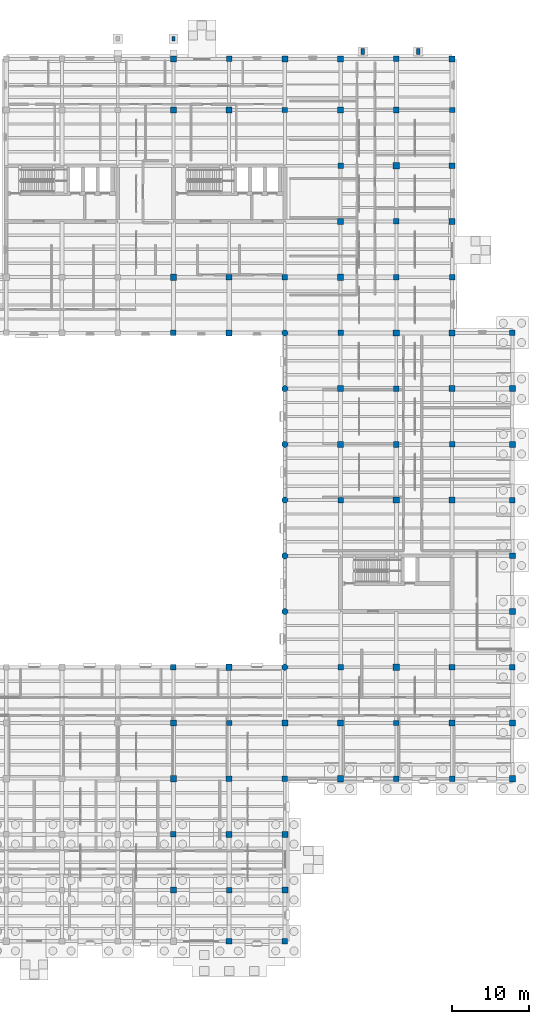
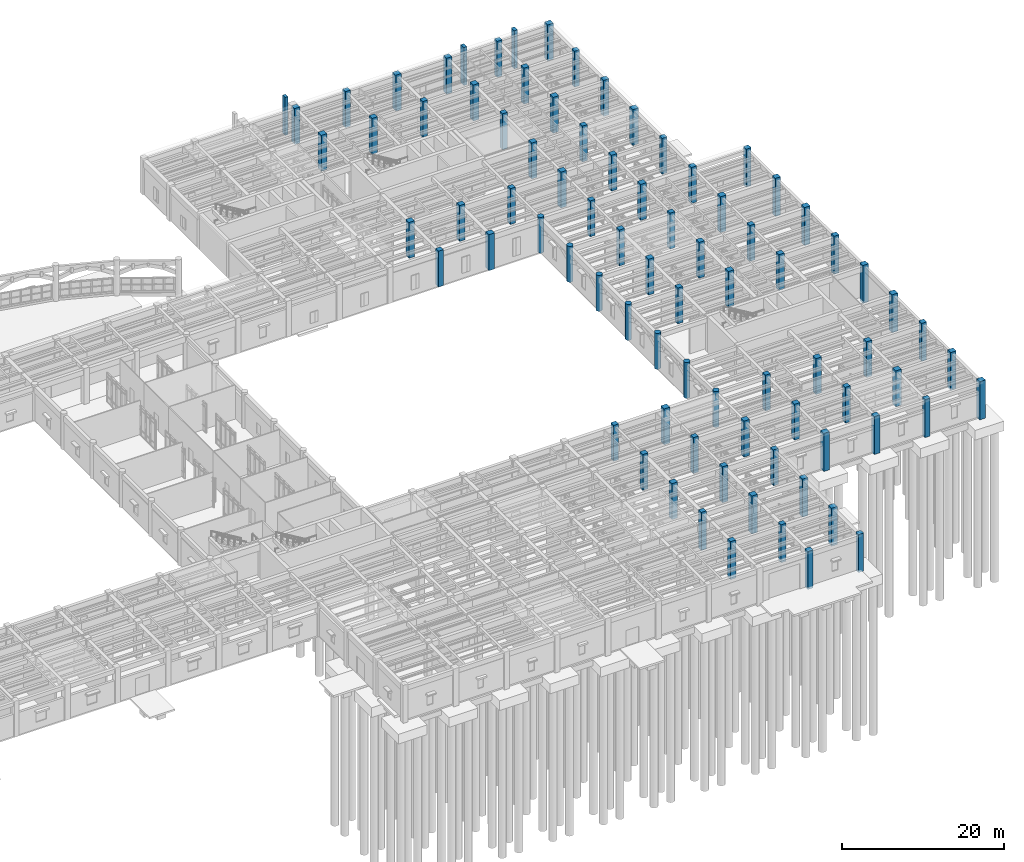
# One storey, part 7 of 100: 82 columns.
"""IFC4 building model written with IfcOpenShell, lengths in metres."""

from ifc_helpers import new_model, si_unit, direction, frame, origin, origin_2d, place, context, subcontext, project, spatial, rectangle, circle, extrude, material, material_profile, profile_set, type_object, element, save


model = new_model("IFC4")

# Units and contexts
model_context = context("Model", 3, precision=1e-05, world=origin(), true_north=direction((0.0, 1.0)))
body_context = subcontext(model_context, "Body", "Model", "MODEL_VIEW")
ifc_project = project(units=[si_unit("LENGTHUNIT", "METRE"), si_unit("AREAUNIT", "SQUARE_METRE"), si_unit("VOLUMEUNIT", "CUBIC_METRE"), si_unit("PLANEANGLEUNIT", "RADIAN"), si_unit("MASSUNIT", "GRAM", prefix="KILO")], contexts=[model_context])

# Site, building, storey
site_placement = place(None, origin())
site = spatial("IfcSite", under=ifc_project, at=site_placement, CompositionType="ELEMENT")
building_placement = place(site_placement, origin())
building = spatial("IfcBuilding", under=site, at=building_placement, Name="Mithqara Police Headquarters", CompositionType="ELEMENT")
storey_placement = place(building_placement, origin())
storey = spatial("IfcBuildingStorey", under=building, at=storey_placement, Name="L00", CompositionType="ELEMENT", Elevation=0.0)

# Columns
ifc_material = material(Name="Concrete C50/60", Category="concrete")
ifc_material_profile_1 = material_profile(ifc_material, rectangle(XDim=0.699951171875, YDim=0.699951171875, at=origin_2d()), Name="RC 700x700")
ifc_profile_set_1 = profile_set([ifc_material_profile_1], Name="Concrete C50/60")
column_type_1 = type_object("IfcColumnType", Name="COLUMN RC700", PredefinedType="COLUMN", material=ifc_profile_set_1)
column_1_placement = place(storey_placement, frame((130.199951171875, 13.800048828125, -0.320068359375), z_axis=(0.0, 0.0, 1.0), x_axis=(1.0, 0.0, 0.0)))
element("IfcColumn", 1, at=column_1_placement, inside=storey, type_object=column_type_1, Name="L00 Column 19/C", PredefinedType="COLUMN", context=body_context, shape_type="SweptSolid", body=[
    extrude(rectangle(XDim=0.699951171875, YDim=0.699951171875, at=origin_2d()), origin(), (0.0, 0.0, 1.0), 5.719970703125),
])
for number, where, z_axis, x_axis, name in (
    (2, (130.199951171875, 35.39990234375, 0.0), (0.0, 0.0, 1.0), (1.0, 0.0, 0.0), "L00 Column 19/F"),
    (3, (130.199951171875, 78.60009765625, 0.0), (0.0, 0.0, 1.0), (1.0, 0.0, 0.0), "L00 Column 19/M"),
):
    element("IfcColumn", number, at=place(storey_placement, frame(where, z_axis=z_axis, x_axis=x_axis)), inside=storey, type_object=column_type_1, Name=name, PredefinedType="COLUMN", context=body_context, shape_type="SweptSolid", body=[
        extrude(rectangle(XDim=0.699951171875, YDim=0.699951171875, at=origin_2d()), origin(), (0.0, 0.0, 1.0), 5.39990234375),
    ])
column_2_placement = place(storey_placement, frame((137.39990234375, 6.60009765625, -0.320068359375), z_axis=(0.0, 0.0, 1.0), x_axis=(1.0, 0.0, 0.0)))
element("IfcColumn", 4, at=column_2_placement, inside=storey, type_object=column_type_1, Name="L00 Column 20/B", PredefinedType="COLUMN", context=body_context, shape_type="SweptSolid", body=[
    extrude(rectangle(XDim=0.699951171875, YDim=0.699951171875, at=origin_2d()), origin(), (0.0, 0.0, 1.0), 5.719970703125),
])
for number, where, z_axis, x_axis, name in (
    (5, (137.39990234375, 28.199951171875, 0.0), (0.0, 0.0, 1.0), (1.0, 0.0, 0.0), "L00 Column 20/E"),
    (6, (137.39990234375, 114.0, 0.0), (0.0, 0.0, 1.0), (1.0, 0.0, 0.0), "L00 Column 20/S"),
):
    element("IfcColumn", number, at=place(storey_placement, frame(where, z_axis=z_axis, x_axis=x_axis)), inside=storey, type_object=column_type_1, Name=name, PredefinedType="COLUMN", context=body_context, shape_type="SweptSolid", body=[
        extrude(rectangle(XDim=0.699951171875, YDim=0.699951171875, at=origin_2d()), origin(), (0.0, 0.0, 1.0), 5.39990234375),
    ])
column_3_placement = place(storey_placement, frame((144.60009765625, 0.0, -0.320068359375), z_axis=(0.0, 0.0, 1.0), x_axis=(1.0, 0.0, 0.0)))
element("IfcColumn", 7, at=column_3_placement, inside=storey, type_object=column_type_1, Name="L00 Column 21/A", PredefinedType="COLUMN", context=body_context, shape_type="SweptSolid", body=[
    extrude(rectangle(XDim=0.699951171875, YDim=0.699951171875, at=origin_2d()), origin(), (0.0, 0.0, 1.0), 5.719970703125),
])
for number, where, z_axis, x_axis, name in (
    (8, (144.60009765625, 21.0, 0.0), (0.0, 0.0, 1.0), (1.0, 0.0, 0.0), "L00 Column 21/D"),
    (9, (144.60009765625, 85.800048828125, 0.0), (0.0, 0.0, 1.0), (1.0, 0.0, 0.0), "L00 Column 21/N"),
    (10, (144.60009765625, 107.39990234375, 0.0), (0.0, 0.0, 1.0), (1.0, 0.0, 0.0), "L00 Column 21/R"),
    (11, (151.800048828125, 35.39990234375, 0.0), (0.0, 0.0, 1.0), (1.0, 0.0, 0.0), "L00 Column 22/F"),
    (12, (151.800048828125, 57.0, 0.0), (0.0, 0.0, 1.0), (1.0, 0.0, 0.0), "L00 Column 22/J"),
    (13, (151.800048828125, 78.60009765625, 0.0), (0.0, 0.0, 1.0), (1.0, 0.0, 0.0), "L00 Column 22/M"),
    (14, (151.800048828125, 100.199951171875, 0.0), (0.0, 0.0, 1.0), (1.0, 0.0, 0.0), "L00 Column 22/Q"),
    (15, (159.0, 28.199951171875, 0.0), (0.0, 0.0, 1.0), (1.0, 0.0, 0.0), "L00 Column 23/E"),
    (16, (159.0, 71.39990234375, 0.0), (0.0, 0.0, 1.0), (1.0, 0.0, 0.0), "L00 Column 23/L"),
    (17, (159.0, 93.0, 0.0), (0.0, 0.0, 1.0), (1.0, 0.0, 0.0), "L00 Column 23/P"),
    (18, (159.0, 114.0, 0.0), (0.0, 0.0, 1.0), (1.0, 0.0, 0.0), "L00 Column 23/S"),
):
    element("IfcColumn", number, at=place(storey_placement, frame(where, z_axis=z_axis, x_axis=x_axis)), inside=storey, type_object=column_type_1, Name=name, PredefinedType="COLUMN", context=body_context, shape_type="SweptSolid", body=[
        extrude(rectangle(XDim=0.699951171875, YDim=0.699951171875, at=origin_2d()), origin(), (0.0, 0.0, 1.0), 5.39990234375),
    ])
column_4_placement = place(storey_placement, frame((166.199951171875, 21.0, -0.320068359375), z_axis=(0.0, 0.0, 1.0), x_axis=(1.0, 0.0, 0.0)))
element("IfcColumn", 19, at=column_4_placement, inside=storey, type_object=column_type_1, Name="L00 Column 24/D", PredefinedType="COLUMN", context=body_context, shape_type="SweptSolid", body=[
    extrude(rectangle(XDim=0.699951171875, YDim=0.699951171875, at=origin_2d()), origin(), (0.0, 0.0, 1.0), 5.719970703125),
])
for number, where, z_axis, x_axis, name in (
    (20, (166.199951171875, 64.199951171875, 0.0), (0.0, 0.0, 1.0), (1.0, 0.0, 0.0), "L00 Column 24/K"),
    (21, (166.199951171875, 85.800048828125, 0.0), (0.0, 0.0, 1.0), (1.0, 0.0, 0.0), "L00 Column 24/N"),
    (22, (166.199951171875, 107.39990234375, 0.0), (0.0, 0.0, 1.0), (1.0, 0.0, 0.0), "L00 Column 24/R"),
):
    element("IfcColumn", number, at=place(storey_placement, frame(where, z_axis=z_axis, x_axis=x_axis)), inside=storey, type_object=column_type_1, Name=name, PredefinedType="COLUMN", context=body_context, shape_type="SweptSolid", body=[
        extrude(rectangle(XDim=0.699951171875, YDim=0.699951171875, at=origin_2d()), origin(), (0.0, 0.0, 1.0), 5.39990234375),
    ])
for number, where, z_axis, x_axis, name in (
    (23, (174.0, 35.39990234375, -0.320068359375), (0.0, 0.0, 1.0), (1.0, 0.0, 0.0), "L00 Column 25/F"),
    (24, (174.0, 57.0, -0.320068359375), (0.0, 0.0, 1.0), (1.0, 0.0, 0.0), "L00 Column 25/J"),
    (25, (174.0, 78.60009765625, -0.320068359375), (0.0, 0.0, 1.0), (1.0, 0.0, 0.0), "L00 Column 25/M"),
):
    element("IfcColumn", number, at=place(storey_placement, frame(where, z_axis=z_axis, x_axis=x_axis)), inside=storey, type_object=column_type_1, Name=name, PredefinedType="COLUMN", context=body_context, shape_type="SweptSolid", body=[
        extrude(rectangle(XDim=0.699951171875, YDim=0.699951171875, at=origin_2d()), origin(), (0.0, 0.0, 1.0), 5.719970703125),
    ])
ifc_material_profile_2 = material_profile(ifc_material, rectangle(XDim=0.75, YDim=0.75, at=origin_2d()), Name="RC 750x750")
ifc_profile_set_2 = profile_set([ifc_material_profile_2], Name="Concrete C50/60")
column_type_2 = type_object("IfcColumnType", Name="COLUMN RC750", PredefinedType="COLUMN", material=ifc_profile_set_2)
column_5_placement = place(storey_placement, frame((130.199951171875, 6.60009765625, -0.320068359375), z_axis=(0.0, 0.0, 1.0), x_axis=(1.0, 0.0, 0.0)))
element("IfcColumn", 26, at=column_5_placement, inside=storey, type_object=column_type_2, Name="L00 Column 19/B", PredefinedType="COLUMN", context=body_context, shape_type="SweptSolid", body=[
    extrude(rectangle(XDim=0.75, YDim=0.75, at=origin_2d()), origin(), (0.0, 0.0, 1.0), 5.719970703125),
])
for number, where, z_axis, x_axis, name in (
    (27, (130.199951171875, 28.199951171875, 0.0), (0.0, 0.0, 1.0), (1.0, 0.0, 0.0), "L00 Column 19/E"),
    (28, (130.199951171875, 114.0, 0.0), (0.0, 0.0, 1.0), (1.0, 0.0, 0.0), "L00 Column 19/S"),
):
    element("IfcColumn", number, at=place(storey_placement, frame(where, z_axis=z_axis, x_axis=x_axis)), inside=storey, type_object=column_type_2, Name=name, PredefinedType="COLUMN", context=body_context, shape_type="SweptSolid", body=[
        extrude(rectangle(XDim=0.75, YDim=0.75, at=origin_2d()), origin(), (0.0, 0.0, 1.0), 5.39990234375),
    ])
column_6_placement = place(storey_placement, frame((137.39990234375, 0.0, -0.320068359375), z_axis=(0.0, 0.0, 1.0), x_axis=(1.0, 0.0, 0.0)))
element("IfcColumn", 29, at=column_6_placement, inside=storey, type_object=column_type_2, Name="L00 Column 20/A", PredefinedType="COLUMN", context=body_context, shape_type="SweptSolid", body=[
    extrude(rectangle(XDim=0.75, YDim=0.75, at=origin_2d()), origin(), (0.0, 0.0, 1.0), 5.719970703125),
])
for number, where, z_axis, x_axis, name in (
    (30, (137.39990234375, 21.0, 0.0), (0.0, 0.0, 1.0), (1.0, 0.0, 0.0), "L00 Column 20/D"),
    (31, (137.39990234375, 85.800048828125, 0.0), (0.0, 0.0, 1.0), (1.0, 0.0, 0.0), "L00 Column 20/N"),
    (32, (137.39990234375, 107.39990234375, 0.0), (0.0, 0.0, 1.0), (1.0, 0.0, 0.0), "L00 Column 20/R"),
):
    element("IfcColumn", number, at=place(storey_placement, frame(where, z_axis=z_axis, x_axis=x_axis)), inside=storey, type_object=column_type_2, Name=name, PredefinedType="COLUMN", context=body_context, shape_type="SweptSolid", body=[
        extrude(rectangle(XDim=0.75, YDim=0.75, at=origin_2d()), origin(), (0.0, 0.0, 1.0), 5.39990234375),
    ])
column_7_placement = place(storey_placement, frame((144.60009765625, 13.800048828125, -0.320068359375), z_axis=(0.0, 0.0, 1.0), x_axis=(1.0, 0.0, 0.0)))
element("IfcColumn", 33, at=column_7_placement, inside=storey, type_object=column_type_2, Name="L00 Column 21/C", PredefinedType="COLUMN", context=body_context, shape_type="SweptSolid", body=[
    extrude(rectangle(XDim=0.75, YDim=0.75, at=origin_2d()), origin(), (0.0, 0.0, 1.0), 5.719970703125),
])
for number, where, z_axis, x_axis, name in (
    (34, (151.800048828125, 28.199951171875, 0.0), (0.0, 0.0, 1.0), (1.0, 0.0, 0.0), "L00 Column 22/E"),
    (35, (151.800048828125, 71.39990234375, 0.0), (0.0, 0.0, 1.0), (1.0, 0.0, 0.0), "L00 Column 22/L"),
    (36, (151.800048828125, 93.0, 0.0), (0.0, 0.0, 1.0), (1.0, 0.0, 0.0), "L00 Column 22/P"),
    (37, (151.800048828125, 114.0, 0.0), (0.0, 0.0, 1.0), (1.0, 0.0, 0.0), "L00 Column 22/S"),
):
    element("IfcColumn", number, at=place(storey_placement, frame(where, z_axis=z_axis, x_axis=x_axis)), inside=storey, type_object=column_type_2, Name=name, PredefinedType="COLUMN", context=body_context, shape_type="SweptSolid", body=[
        extrude(rectangle(XDim=0.75, YDim=0.75, at=origin_2d()), origin(), (0.0, 0.0, 1.0), 5.39990234375),
    ])
column_8_placement = place(storey_placement, frame((159.0, 21.0, -0.320068359375), z_axis=(0.0, 0.0, 1.0), x_axis=(1.0, 0.0, 0.0)))
element("IfcColumn", 38, at=column_8_placement, inside=storey, type_object=column_type_2, Name="L00 Column 23/D", PredefinedType="COLUMN", context=body_context, shape_type="SweptSolid", body=[
    extrude(rectangle(XDim=0.75, YDim=0.75, at=origin_2d()), origin(), (0.0, 0.0, 1.0), 5.719970703125),
])
for number, where, z_axis, x_axis, name in (
    (39, (159.0, 64.199951171875, 0.0), (0.0, 0.0, 1.0), (1.0, 0.0, 0.0), "L00 Column 23/K"),
    (40, (159.0, 85.800048828125, 0.0), (0.0, 0.0, 1.0), (1.0, 0.0, 0.0), "L00 Column 23/N"),
    (41, (159.0, 107.39990234375, 0.0), (0.0, 0.0, 1.0), (1.0, 0.0, 0.0), "L00 Column 23/R"),
    (42, (166.199951171875, 35.39990234375, 0.0), (0.0, 0.0, 1.0), (1.0, 0.0, 0.0), "L00 Column 24/F"),
    (43, (166.199951171875, 57.0, 0.0), (0.0, 0.0, 1.0), (1.0, 0.0, 0.0), "L00 Column 24/J"),
    (44, (166.199951171875, 78.60009765625, 0.0), (0.0, 0.0, 1.0), (1.0, 0.0, 0.0), "L00 Column 24/M"),
    (45, (166.199951171875, 100.199951171875, 0.0), (0.0, 0.0, 1.0), (1.0, 0.0, 0.0), "L00 Column 24/Q"),
):
    element("IfcColumn", number, at=place(storey_placement, frame(where, z_axis=z_axis, x_axis=x_axis)), inside=storey, type_object=column_type_2, Name=name, PredefinedType="COLUMN", context=body_context, shape_type="SweptSolid", body=[
        extrude(rectangle(XDim=0.75, YDim=0.75, at=origin_2d()), origin(), (0.0, 0.0, 1.0), 5.39990234375),
    ])
for number, where, z_axis, x_axis, name in (
    (46, (174.0, 28.199951171875, -0.320068359375), (0.0, 0.0, 1.0), (1.0, 0.0, 0.0), "L00 Column 25/E"),
    (47, (174.0, 49.800048828125, -0.320068359375), (0.0, 0.0, 1.0), (1.0, 0.0, 0.0), "L00 Column 25/H"),
    (48, (174.0, 71.39990234375, -0.320068359375), (0.0, 0.0, 1.0), (1.0, 0.0, 0.0), "L00 Column 25/L"),
):
    element("IfcColumn", number, at=place(storey_placement, frame(where, z_axis=z_axis, x_axis=x_axis)), inside=storey, type_object=column_type_2, Name=name, PredefinedType="COLUMN", context=body_context, shape_type="SweptSolid", body=[
        extrude(rectangle(XDim=0.75, YDim=0.75, at=origin_2d()), origin(), (0.0, 0.0, 1.0), 5.719970703125),
    ])
ifc_material_profile_3 = material_profile(ifc_material, rectangle(XDim=0.800048828125, YDim=0.800048828125, at=origin_2d()), Name="RC 800x800")
ifc_profile_set_3 = profile_set([ifc_material_profile_3], Name="Concrete C50/60")
column_type_3 = type_object("IfcColumnType", Name="COLUMN RC800", PredefinedType="COLUMN", material=ifc_profile_set_3)
for number, where, z_axis, x_axis, name in (
    (49, (130.199951171875, 21.0, 0.0), (0.0, 0.0, 1.0), (1.0, 0.0, 0.0), "L00 Column 19/D"),
    (50, (130.199951171875, 85.800048828125, 0.0), (0.0, 0.0, 1.0), (1.0, 0.0, 0.0), "L00 Column 19/N"),
    (51, (130.199951171875, 107.39990234375, 0.0), (0.0, 0.0, 1.0), (1.0, 0.0, 0.0), "L00 Column 19/R"),
):
    element("IfcColumn", number, at=place(storey_placement, frame(where, z_axis=z_axis, x_axis=x_axis)), inside=storey, type_object=column_type_3, Name=name, PredefinedType="COLUMN", context=body_context, shape_type="SweptSolid", body=[
        extrude(rectangle(XDim=0.800048828125, YDim=0.800048828125, at=origin_2d()), origin(), (0.0, 0.0, 1.0), 5.39990234375),
    ])
column_9_placement = place(storey_placement, frame((137.39990234375, 13.800048828125, -0.320068359375), z_axis=(0.0, 0.0, 1.0), x_axis=(1.0, 0.0, 0.0)))
element("IfcColumn", 52, at=column_9_placement, inside=storey, type_object=column_type_3, Name="L00 Column 20/C", PredefinedType="COLUMN", context=body_context, shape_type="SweptSolid", body=[
    extrude(rectangle(XDim=0.800048828125, YDim=0.800048828125, at=origin_2d()), origin(), (0.0, 0.0, 1.0), 5.719970703125),
])
for number, where, z_axis, x_axis, name in (
    (53, (137.39990234375, 35.39990234375, 0.0), (0.0, 0.0, 1.0), (1.0, 0.0, 0.0), "L00 Column 20/F"),
    (54, (137.39990234375, 78.60009765625, 0.0), (0.0, 0.0, 1.0), (1.0, 0.0, 0.0), "L00 Column 20/M"),
):
    element("IfcColumn", number, at=place(storey_placement, frame(where, z_axis=z_axis, x_axis=x_axis)), inside=storey, type_object=column_type_3, Name=name, PredefinedType="COLUMN", context=body_context, shape_type="SweptSolid", body=[
        extrude(rectangle(XDim=0.800048828125, YDim=0.800048828125, at=origin_2d()), origin(), (0.0, 0.0, 1.0), 5.39990234375),
    ])
column_10_placement = place(storey_placement, frame((144.60009765625, 6.60009765625, -0.320068359375), z_axis=(0.0, 0.0, 1.0), x_axis=(1.0, 0.0, 0.0)))
element("IfcColumn", 55, at=column_10_placement, inside=storey, type_object=column_type_3, Name="L00 Column 21/B", PredefinedType="COLUMN", context=body_context, shape_type="SweptSolid", body=[
    extrude(rectangle(XDim=0.800048828125, YDim=0.800048828125, at=origin_2d()), origin(), (0.0, 0.0, 1.0), 5.719970703125),
])
for number, where, z_axis, x_axis, name in (
    (56, (144.60009765625, 28.199951171875, 0.0), (0.0, 0.0, 1.0), (1.0, 0.0, 0.0), "L00 Column 21/E"),
    (57, (144.60009765625, 114.0, 0.0), (0.0, 0.0, 1.0), (1.0, 0.0, 0.0), "L00 Column 21/S"),
):
    element("IfcColumn", number, at=place(storey_placement, frame(where, z_axis=z_axis, x_axis=x_axis)), inside=storey, type_object=column_type_3, Name=name, PredefinedType="COLUMN", context=body_context, shape_type="SweptSolid", body=[
        extrude(rectangle(XDim=0.800048828125, YDim=0.800048828125, at=origin_2d()), origin(), (0.0, 0.0, 1.0), 5.39990234375),
    ])
column_11_placement = place(storey_placement, frame((151.800048828125, 21.0, -0.320068359375), z_axis=(0.0, 0.0, 1.0), x_axis=(1.0, 0.0, 0.0)))
element("IfcColumn", 58, at=column_11_placement, inside=storey, type_object=column_type_3, Name="L00 Column 22/D", PredefinedType="COLUMN", context=body_context, shape_type="SweptSolid", body=[
    extrude(rectangle(XDim=0.800048828125, YDim=0.800048828125, at=origin_2d()), origin(), (0.0, 0.0, 1.0), 5.719970703125),
])
for number, where, z_axis, x_axis, name in (
    (59, (151.800048828125, 64.199951171875, 0.0), (0.0, 0.0, 1.0), (1.0, 0.0, 0.0), "L00 Column 22/K"),
    (60, (151.800048828125, 85.800048828125, 0.0), (0.0, 0.0, 1.0), (1.0, 0.0, 0.0), "L00 Column 22/N"),
    (61, (151.800048828125, 107.39990234375, 0.0), (0.0, 0.0, 1.0), (1.0, 0.0, 0.0), "L00 Column 22/R"),
    (62, (159.0, 35.39990234375, 0.0), (0.0, 0.0, 1.0), (1.0, 0.0, 0.0), "L00 Column 23/F"),
    (63, (159.0, 57.0, 0.0), (0.0, 0.0, 1.0), (1.0, 0.0, 0.0), "L00 Column 23/J"),
    (64, (159.0, 78.60009765625, 0.0), (0.0, 0.0, 1.0), (1.0, 0.0, 0.0), "L00 Column 23/M"),
    (65, (159.0, 100.199951171875, 0.0), (0.0, 0.0, 1.0), (1.0, 0.0, 0.0), "L00 Column 23/Q"),
    (66, (166.199951171875, 28.199951171875, 0.0), (0.0, 0.0, 1.0), (1.0, 0.0, 0.0), "L00 Column 24/E"),
    (67, (166.199951171875, 71.39990234375, 0.0), (0.0, 0.0, 1.0), (1.0, 0.0, 0.0), "L00 Column 24/L"),
    (68, (166.199951171875, 93.0, 0.0), (0.0, 0.0, 1.0), (1.0, 0.0, 0.0), "L00 Column 24/P"),
    (69, (166.199951171875, 114.0, 0.0), (0.0, 0.0, 1.0), (1.0, 0.0, 0.0), "L00 Column 24/S"),
):
    element("IfcColumn", number, at=place(storey_placement, frame(where, z_axis=z_axis, x_axis=x_axis)), inside=storey, type_object=column_type_3, Name=name, PredefinedType="COLUMN", context=body_context, shape_type="SweptSolid", body=[
        extrude(rectangle(XDim=0.800048828125, YDim=0.800048828125, at=origin_2d()), origin(), (0.0, 0.0, 1.0), 5.39990234375),
    ])
for number, where, z_axis, x_axis, name in (
    (70, (174.0, 21.0, -0.320068359375), (0.0, 0.0, 1.0), (1.0, 0.0, 0.0), "L00 Column 25/D"),
    (71, (174.0, 42.60009765625, -0.320068359375), (0.0, 0.0, 1.0), (1.0, 0.0, 0.0), "L00 Column 25/G"),
    (72, (174.0, 64.199951171875, -0.320068359375), (0.0, 0.0, 1.0), (1.0, 0.0, 0.0), "L00 Column 25/K"),
):
    element("IfcColumn", number, at=place(storey_placement, frame(where, z_axis=z_axis, x_axis=x_axis)), inside=storey, type_object=column_type_3, Name=name, PredefinedType="COLUMN", context=body_context, shape_type="SweptSolid", body=[
        extrude(rectangle(XDim=0.800048828125, YDim=0.800048828125, at=origin_2d()), origin(), (0.0, 0.0, 1.0), 5.719970703125),
    ])
ifc_material_profile_4 = material_profile(ifc_material, circle(Radius=0.39990234375, at=origin_2d()), Name="RCD 800")
ifc_profile_set_4 = profile_set([ifc_material_profile_4], Name="Concrete C50/60")
column_type_4 = type_object("IfcColumnType", Name="COLUMN RCD800", PredefinedType="COLUMN", material=ifc_profile_set_4)
for number, where, z_axis, x_axis, name in (
    (73, (144.60009765625, 35.39990234375, 0.0), (0.0, 0.0, 1.0), (1.0, 0.0, 0.0), "L00 Column 21/F"),
    (74, (144.60009765625, 42.60009765625, 0.0), (0.0, 0.0, 1.0), (1.0, 0.0, 0.0), "L00 Column 21/G"),
    (75, (144.60009765625, 49.800048828125, 0.0), (0.0, 0.0, 1.0), (1.0, 0.0, 0.0), "L00 Column 21/H"),
    (76, (144.60009765625, 57.0, 0.0), (0.0, 0.0, 1.0), (1.0, 0.0, 0.0), "L00 Column 21/J"),
    (77, (144.60009765625, 64.199951171875, 0.0), (0.0, 0.0, 1.0), (1.0, 0.0, 0.0), "L00 Column 21/K"),
    (78, (144.60009765625, 71.39990234375, 0.0), (0.0, 0.0, 1.0), (1.0, 0.0, 0.0), "L00 Column 21/L"),
    (79, (144.60009765625, 78.60009765625, 0.0), (0.0, 0.0, 1.0), (1.0, 0.0, 0.0), "L00 Column 21/M"),
):
    element("IfcColumn", number, at=place(storey_placement, frame(where, z_axis=z_axis, x_axis=x_axis)), inside=storey, type_object=column_type_4, Name=name, PredefinedType="COLUMN", context=body_context, shape_type="SweptSolid", body=[
        extrude(circle(Radius=0.39990234375, at=origin_2d()), origin(), (0.0, 0.0, 1.0), 5.39990234375),
    ])
ifc_material_profile_5 = material_profile(ifc_material, rectangle(XDim=0.39990234375, YDim=0.60009765625, at=origin_2d()), Name="PIL 400x600")
ifc_profile_set_5 = profile_set([ifc_material_profile_5], Name="Concrete C50/60")
column_type_5 = type_object("IfcColumnType", Name="PILASTER 400X600", PredefinedType="PILASTER", material=ifc_profile_set_5)
column_12_placement = place(storey_placement, frame((130.199951171875, 116.60009765625, -0.320068359375), z_axis=(0.0, 0.0, 1.0), x_axis=(1.0, 0.0, 0.0)))
element("IfcColumn", 80, at=column_12_placement, inside=storey, type_object=column_type_5, Name="L00 Entrance Portal Pylon E", PredefinedType="PILASTER", context=body_context, shape_type="SweptSolid", body=[
    extrude(rectangle(XDim=0.39990234375, YDim=0.60009765625, at=origin_2d()), origin(), (0.0, 0.0, 1.0), 5.719970703125),
])
ifc_material_profile_6 = material_profile(ifc_material, rectangle(XDim=0.449951171875, YDim=0.75, at=origin_2d()), Name="PIL 450x750")
ifc_profile_set_6 = profile_set([ifc_material_profile_6], Name="Concrete C50/60")
column_type_6 = type_object("IfcColumnType", Name="PILASTER 450X750", PredefinedType="PILASTER", material=ifc_profile_set_6)
for number, where, z_axis, x_axis, name in (
    (81, (154.64990234375, 114.949951171875, -0.320068359375), (0.0, 0.0, 1.0), (1.0, 0.0, 0.0), "L00 North Avenue Pilaster 1"),
    (82, (161.85009765625, 114.949951171875, -0.320068359375), (0.0, 0.0, 1.0), (1.0, 0.0, 0.0), "L00 North Avenue Pilaster 2"),
):
    element("IfcColumn", number, at=place(storey_placement, frame(where, z_axis=z_axis, x_axis=x_axis)), inside=storey, type_object=column_type_6, Name=name, PredefinedType="PILASTER", context=body_context, shape_type="SweptSolid", body=[
        extrude(rectangle(XDim=0.449951171875, YDim=0.75, at=origin_2d()), origin(), (0.0, 0.0, 1.0), 5.719970703125),
    ])

save(model, "model.ifc")
